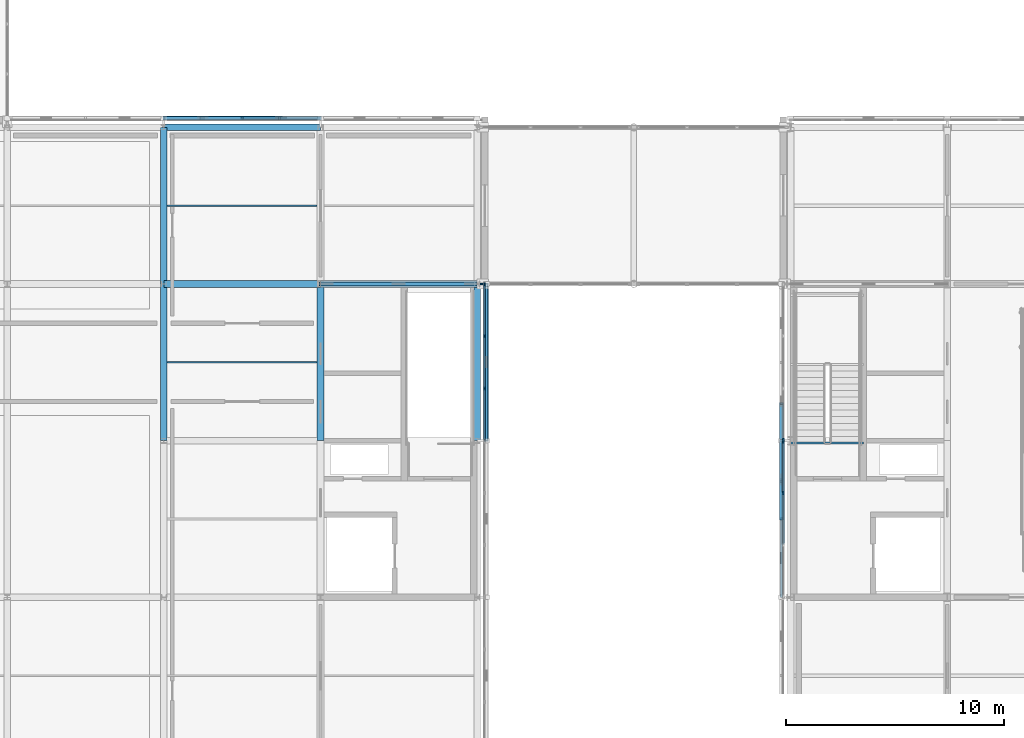
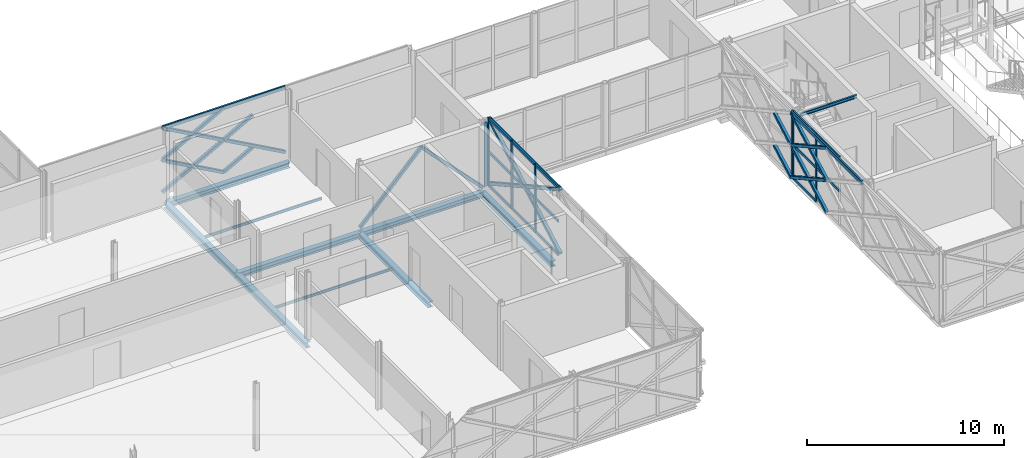
# One storey, part 24 of 126: 46 members, 10 beams, 4 elements without a shape of their own.
"""IFC4 building model written with IfcOpenShell, lengths in metres."""

from ifc_helpers import new_model, si_unit, direction, frame, origin, origin_2d, place, context, subcontext, project, spatial, rectangle, hollow_rectangle, i_section, extrude, material, material_profile, profile_set, type_object, element, aggregate, save


model = new_model("IFC4")

# Units and contexts
model_context = context("Model", 3, precision=1e-05, world=origin(), true_north=direction((0.0, 1.0)))
body_context = subcontext(model_context, "Body", "Model", "MODEL_VIEW")
ifc_project = project(units=[si_unit("LENGTHUNIT", "METRE"), si_unit("AREAUNIT", "SQUARE_METRE"), si_unit("VOLUMEUNIT", "CUBIC_METRE"), si_unit("PLANEANGLEUNIT", "RADIAN"), si_unit("MASSUNIT", "GRAM", prefix="KILO")], contexts=[model_context])

# Site, building, storey
site_placement = place(None, origin())
site = spatial("IfcSite", under=ifc_project, at=site_placement, CompositionType="ELEMENT")
building_placement = place(site_placement, origin())
building = spatial("IfcBuilding", under=site, at=building_placement, Name="Zlatovets Crest Museum", CompositionType="ELEMENT")
storey_placement = place(building_placement, frame((0.0, 0.0, 8.699951171875)))
storey = spatial("IfcBuildingStorey", under=building, at=storey_placement, Name="L02", CompositionType="ELEMENT", Elevation=8.699951171875)

# Beams
ifc_material_1 = material(Name="Structural steel S355J2", Category="steel")
ifc_material_profile_1 = material_profile(ifc_material_1, i_section(OverallWidth=0.300048828125, OverallDepth=0.35009765625, WebThickness=0.010009765625, FlangeThickness=0.017578125, FilletRadius=0.027099609375, at=origin_2d()), Name="HEA 360")
ifc_profile_set_1 = profile_set([ifc_material_profile_1], Name="Structural steel S355J2")
beam_type_1 = type_object("IfcBeamType", Name="Beam_B-03", PredefinedType="BEAM", material=ifc_profile_set_1)
beam_1_placement = place(storey_placement, frame((28.800048828125, 14.39990234375, -0.39501953125), z_axis=(0.0, 1.0, 0.0), x_axis=(-1.0, 0.0, 0.0)))
element("IfcBeam", 1, at=beam_1_placement, inside=storey, type_object=beam_type_1, Name="V3 L02 Grid Beam B-03", PredefinedType="BEAM", context=body_context, shape_type="SweptSolid", body=[
    extrude(i_section(OverallWidth=0.300048828125, OverallDepth=0.35009765625, WebThickness=0.010009765625, FlangeThickness=0.017578125, FilletRadius=0.027099609375, at=origin_2d()), origin(), (0.0, 0.0, 1.0), 7.2001953125),
])
beam_2_placement = place(storey_placement, frame((28.800048828125, 21.60009765625, -0.39501953125), z_axis=(0.0, 1.0, 0.0), x_axis=(-1.0, 0.0, 0.0)))
element("IfcBeam", 2, at=beam_2_placement, inside=storey, type_object=beam_type_1, Name="V3 L02 Grid Beam B-03", PredefinedType="BEAM", context=body_context, shape_type="SweptSolid", body=[
    extrude(i_section(OverallWidth=0.300048828125, OverallDepth=0.35009765625, WebThickness=0.010009765625, FlangeThickness=0.017578125, FilletRadius=0.027099609375, at=origin_2d()), origin(), (0.0, 0.0, 1.0), 7.199951171875),
])
for number, where, z_axis, x_axis, name in (
    (3, (36.0, 14.39990234375, -0.39501953125), (0.0, 1.0, 0.0), (-1.0, 0.0, 0.0), "V3 L02 Grid Beam B-03"),
    (4, (43.199951171875, 14.39990234375, -0.39501953125), (0.0, 1.0, 0.0), (-1.0, 0.0, 0.0), "V3 L02 Grid Beam B-03"),
):
    element("IfcBeam", number, at=place(storey_placement, frame(where, z_axis=z_axis, x_axis=x_axis)), inside=storey, type_object=beam_type_1, Name=name, PredefinedType="BEAM", context=body_context, shape_type="SweptSolid", body=[
        extrude(i_section(OverallWidth=0.300048828125, OverallDepth=0.35009765625, WebThickness=0.010009765625, FlangeThickness=0.017578125, FilletRadius=0.027099609375, at=origin_2d()), origin(), (0.0, 0.0, 1.0), 7.2001953125),
    ])
ifc_material_profile_2 = material_profile(ifc_material_1, i_section(OverallWidth=0.300048828125, OverallDepth=0.330078125, WebThickness=0.009521484375, FlangeThickness=0.0166015625, FilletRadius=0.027099609375, at=origin_2d()), Name="HEA 340")
ifc_profile_set_2 = profile_set([ifc_material_profile_2], Name="Structural steel S355J2")
beam_type_2 = type_object("IfcBeamType", Name="Beam_B-11", PredefinedType="BEAM", material=ifc_profile_set_2)
for number, where, z_axis, x_axis, name in (
    (5, (28.800048828125, 21.60009765625, -0.385009765625), (1.0, 0.0, 0.0), (0.0, 1.0, 0.0), "V3 L02 Primary Girder B-11"),
    (6, (36.0, 21.60009765625, -0.385009765625), (1.0, 0.0, 0.0), (0.0, 1.0, 0.0), "V3 L02 Primary Girder B-11"),
    (7, (28.800048828125, 28.800048828125, -0.385009765625), (1.0, 0.0, 0.0), (0.0, 1.0, 0.0), "V3 L02 Primary Girder B-11"),
):
    element("IfcBeam", number, at=place(storey_placement, frame(where, z_axis=z_axis, x_axis=x_axis)), inside=storey, type_object=beam_type_2, Name=name, PredefinedType="BEAM", context=body_context, shape_type="SweptSolid", body=[
        extrude(i_section(OverallWidth=0.300048828125, OverallDepth=0.330078125, WebThickness=0.009521484375, FlangeThickness=0.0166015625, FilletRadius=0.027099609375, at=origin_2d()), origin(), (0.0, 0.0, 1.0), 7.199951171875),
    ])
ifc_material_profile_3 = material_profile(ifc_material_1, i_section(OverallWidth=0.08203125, OverallDepth=0.159912109375, WebThickness=0.0048828125, FlangeThickness=0.00732421875, FilletRadius=0.009033203125, at=origin_2d()), Name="IPE 160")
ifc_profile_set_3 = profile_set([ifc_material_profile_3], Name="Structural steel S355J2")
beam_type_3 = type_object("IfcBeamType", Name="Beam_J-12", PredefinedType="JOIST", material=ifc_profile_set_3)
for number, where, z_axis, x_axis, name in (
    (8, (28.949951171875, 18.0, -0.300048828125), (1.0, 0.0, 0.0), (0.0, 1.0, 0.0), "V3 L02 Composite Joist J-12"),
    (9, (28.949951171875, 25.199951171875, -0.300048828125), (1.0, 0.0, 0.0), (0.0, 1.0, 0.0), "V3 L02 Composite Joist J-12"),
):
    element("IfcBeam", number, at=place(storey_placement, frame(where, z_axis=z_axis, x_axis=x_axis)), inside=storey, type_object=beam_type_3, Name=name, PredefinedType="JOIST", context=body_context, shape_type="SweptSolid", body=[
        extrude(i_section(OverallWidth=0.08203125, OverallDepth=0.159912109375, WebThickness=0.0048828125, FlangeThickness=0.00732421875, FilletRadius=0.009033203125, at=origin_2d()), origin(), (0.0, 0.0, 1.0), 6.900146484375),
    ])
ifc_material_profile_4 = material_profile(ifc_material_1, i_section(OverallWidth=0.10009765625, OverallDepth=0.199951171875, WebThickness=0.005615234375, FlangeThickness=0.008544921875, FilletRadius=0.011962890625, at=origin_2d()), Name="IPE 200")
ifc_profile_set_4 = profile_set([ifc_material_profile_4], Name="Structural steel S355J2")
beam_type_4 = type_object("IfcBeamType", Name="Beam_PR-02", PredefinedType="LINTEL", material=ifc_profile_set_4)
beam_3_placement = place(storey_placement, frame((57.60009765625, 14.300048828125, 3.860107421875), z_axis=(1.0, 0.0, 0.0), x_axis=(0.0, 1.0, 0.0)))
element("IfcBeam", 10, at=beam_3_placement, inside=storey, type_object=beam_type_4, Name="Core C2 L02 Stair Well Header Beam", PredefinedType="LINTEL", context=body_context, shape_type="SweptSolid", body=[
    extrude(i_section(OverallWidth=0.10009765625, OverallDepth=0.199951171875, WebThickness=0.005615234375, FlangeThickness=0.008544921875, FilletRadius=0.011962890625, at=origin_2d()), origin(), (0.0, 0.0, 1.0), 3.349853515625),
])

# Curtain wall, member
ifc_material_2 = material(Name="Bronze-anodised aluminium and low-E triple glass", Category="aluminium")
curtain_wall_type_1 = type_object("IfcCurtainWallType", Name="CW_CW-V2-L02-M3", PredefinedType="NOTDEFINED", material=ifc_material_2)
curtain_wall_1_placement = place(storey_placement, origin())
curtain_wall_1 = element("IfcCurtainWall", 11, at=curtain_wall_1_placement, inside=storey, type_object=curtain_wall_type_1, Name="V2 L02 Expressed Core Glazed Facade", PredefinedType="NOTDEFINED")
ifc_material_3 = material(Name="Bronze-anodised aluminium EN AW-6060", Category="aluminium")
ifc_material_profile_5 = material_profile(ifc_material_3, rectangle(XDim=0.080078125, YDim=0.159912109375, at=origin_2d()), Name="ALU 80x160")
ifc_profile_set_5 = profile_set([ifc_material_profile_5], Name="Bronze-anodised aluminium EN AW-6060")
member_type_1 = type_object("IfcMemberType", Name="CWMull_M1", PredefinedType="MULLION", material=ifc_profile_set_5)
member_1_placement = place(storey_placement, frame((57.260009765625, 14.429931640625, 0.0), z_axis=(0.0, 0.0, 1.0), x_axis=(1.0, 0.0, 0.0)))
member_1 = element("IfcMember", 12, at=member_1_placement, type_object=member_type_1, Name="CW-V2-L02-M3 mullion 4", PredefinedType="MULLION", context=body_context, shape_type="SweptSolid", body=[
    extrude(rectangle(XDim=0.080078125, YDim=0.159912109375, at=origin_2d()), origin(), (0.0, 0.0, 1.0), 4.199951171875),
])
aggregate(curtain_wall_1, [member_1])

# Curtain wall, members
curtain_wall_type_2 = type_object("IfcCurtainWallType", Name="CW_CW-V2-L02-M0", PredefinedType="NOTDEFINED", material=ifc_material_2)
curtain_wall_2_placement = place(storey_placement, origin())
curtain_wall_2 = element("IfcCurtainWall", 13, at=curtain_wall_2_placement, inside=storey, type_object=curtain_wall_type_2, Name="V2 L02 Expressed Core Glazed Facade", PredefinedType="NOTDEFINED")
member_2_placement = place(storey_placement, frame((57.260009765625, 14.3701171875, 0.0), z_axis=(0.0, 0.0, 1.0), x_axis=(1.0, 0.0, 0.0)))
member_2 = element("IfcMember", 14, at=member_2_placement, type_object=member_type_1, Name="CW-V2-L02-M0 mullion 1", PredefinedType="MULLION", context=body_context, shape_type="SweptSolid", body=[
    extrude(rectangle(XDim=0.080078125, YDim=0.159912109375, at=origin_2d()), origin(), (0.0, 0.0, 1.0), 4.199951171875),
])
member_3_placement = place(storey_placement, frame((57.260009765625, 12.0, 0.0), z_axis=(0.0, 0.0, 1.0), x_axis=(1.0, 0.0, 0.0)))
member_3 = element("IfcMember", 15, at=member_3_placement, type_object=member_type_1, Name="CW-V2-L02-M0 mullion 2", PredefinedType="MULLION", context=body_context, shape_type="SweptSolid", body=[
    extrude(rectangle(XDim=0.080078125, YDim=0.159912109375, at=origin_2d()), origin(), (0.0, 0.0, 1.0), 4.199951171875),
])

curtain_wall_type_3 = type_object("IfcCurtainWallType", Name="CW_CW-V3-L02-M0", PredefinedType="NOTDEFINED", material=ifc_material_2)
curtain_wall_3_placement = place(storey_placement, origin())
curtain_wall_3 = element("IfcCurtainWall", 16, at=curtain_wall_3_placement, inside=storey, type_object=curtain_wall_type_3, Name="V3 L02 Expressed Core Glazed Facade", PredefinedType="NOTDEFINED")
member_4_placement = place(storey_placement, frame((43.5400390625, 16.800048828125, 0.0), z_axis=(0.0, 0.0, 1.0), x_axis=(-1.0, 0.0, 0.0)))
member_4 = element("IfcMember", 17, at=member_4_placement, type_object=member_type_1, Name="CW-V3-L02-M0 mullion 2", PredefinedType="MULLION", context=body_context, shape_type="SweptSolid", body=[
    extrude(rectangle(XDim=0.080078125, YDim=0.159912109375, at=origin_2d()), origin(), (0.0, 0.0, 1.0), 4.199951171875),
])
member_5_placement = place(storey_placement, frame((43.5400390625, 19.199951171875, 0.0), z_axis=(0.0, 0.0, 1.0), x_axis=(-1.0, 0.0, 0.0)))
member_5 = element("IfcMember", 18, at=member_5_placement, type_object=member_type_1, Name="CW-V3-L02-M0 mullion 3", PredefinedType="MULLION", context=body_context, shape_type="SweptSolid", body=[
    extrude(rectangle(XDim=0.080078125, YDim=0.159912109375, at=origin_2d()), origin(), (0.0, 0.0, 1.0), 4.199951171875),
])
member_6_placement = place(storey_placement, frame((43.5400390625, 21.570068359375, 0.0), z_axis=(0.0, 0.0, 1.0), x_axis=(-1.0, 0.0, 0.0)))
member_6 = element("IfcMember", 19, at=member_6_placement, type_object=member_type_1, Name="CW-V3-L02-M0 mullion 4", PredefinedType="MULLION", context=body_context, shape_type="SweptSolid", body=[
    extrude(rectangle(XDim=0.080078125, YDim=0.159912109375, at=origin_2d()), origin(), (0.0, 0.0, 1.0), 4.199951171875),
])

# Curtain wall, member
curtain_wall_type_4 = type_object("IfcCurtainWallType", Name="CW_CW-BR1-L02-S69", PredefinedType="NOTDEFINED", material=ifc_material_2)
curtain_wall_4_placement = place(storey_placement, origin())
curtain_wall_4 = element("IfcCurtainWall", 20, at=curtain_wall_4_placement, inside=storey, type_object=curtain_wall_type_4, Name="South Forecourt Glazed Link Bridge L02 Glazed Bridge Curtain Wall", PredefinedType="NOTDEFINED")
member_7_placement = place(storey_placement, frame((43.3798828125, 21.60009765625, 0.0), z_axis=(0.0, 0.0, 1.0), x_axis=(0.0, 1.0, 0.0)))
member_7 = element("IfcMember", 21, at=member_7_placement, type_object=member_type_1, Name="CW-BR1-L02-S69 mullion 1", PredefinedType="MULLION", context=body_context, shape_type="SweptSolid", body=[
    extrude(rectangle(XDim=0.080078125, YDim=0.159912109375, at=origin_2d()), origin(), (0.0, 0.0, 1.0), 3.97998046875),
])
aggregate(curtain_wall_4, [member_7])

# Member
ifc_material_profile_6 = material_profile(ifc_material_3, rectangle(XDim=0.080078125, YDim=0.159912109375, at=origin_2d()), Name="ALU 80x160")
ifc_profile_set_6 = profile_set([ifc_material_profile_6], Name="Bronze-anodised aluminium EN AW-6060")
member_type_2 = type_object("IfcMemberType", Name="CWTrans_T1", PredefinedType="USERDEFINED", material=ifc_profile_set_6)
member_8_placement = place(storey_placement, frame((57.260009765625, 14.340087890625, 0.030029296875), z_axis=(0.0, -1.0, 0.0), x_axis=(1.0, 0.0, 0.0)))
member_8 = element("IfcMember", 22, at=member_8_placement, type_object=member_type_2, Name="CW-V2-L02-M0 transom 1.1", ObjectType="TRANSOM", PredefinedType="USERDEFINED", context=body_context, shape_type="SweptSolid", body=[
    extrude(rectangle(XDim=0.080078125, YDim=0.159912109375, at=origin_2d()), origin(), (0.0, 0.0, 1.0), 2.31005859375),
])

member_9_placement = place(storey_placement, frame((57.260009765625, 14.340087890625, 2.10009765625), z_axis=(0.0, -1.0, 0.0), x_axis=(1.0, 0.0, 0.0)))
member_9 = element("IfcMember", 23, at=member_9_placement, type_object=member_type_2, Name="CW-V2-L02-M0 transom 1.2", ObjectType="TRANSOM", PredefinedType="USERDEFINED", context=body_context, shape_type="SweptSolid", body=[
    extrude(rectangle(XDim=0.080078125, YDim=0.159912109375, at=origin_2d()), origin(), (0.0, 0.0, 1.0), 2.31005859375),
])

member_10_placement = place(storey_placement, frame((57.260009765625, 14.340087890625, 4.170166015625), z_axis=(0.0, -1.0, 0.0), x_axis=(1.0, 0.0, 0.0)))
member_10 = element("IfcMember", 24, at=member_10_placement, type_object=member_type_2, Name="CW-V2-L02-M0 transom 1.3", ObjectType="TRANSOM", PredefinedType="USERDEFINED", context=body_context, shape_type="SweptSolid", body=[
    extrude(rectangle(XDim=0.080078125, YDim=0.159912109375, at=origin_2d()), origin(), (0.0, 0.0, 1.0), 2.31005859375),
])

member_11_placement = place(storey_placement, frame((57.260009765625, 11.969970703125, 2.10009765625), z_axis=(0.0, -1.0, 0.0), x_axis=(1.0, 0.0, 0.0)))
member_11 = element("IfcMember", 25, at=member_11_placement, type_object=member_type_2, Name="CW-V2-L02-M0 transom 2.2", ObjectType="TRANSOM", PredefinedType="USERDEFINED", context=body_context, shape_type="SweptSolid", body=[
    extrude(rectangle(XDim=0.080078125, YDim=0.159912109375, at=origin_2d()), origin(), (0.0, 0.0, 1.0), 2.340087890625),
])

member_12_placement = place(storey_placement, frame((57.260009765625, 11.969970703125, 4.170166015625), z_axis=(0.0, -1.0, 0.0), x_axis=(1.0, 0.0, 0.0)))
member_12 = element("IfcMember", 26, at=member_12_placement, type_object=member_type_2, Name="CW-V2-L02-M0 transom 2.3", ObjectType="TRANSOM", PredefinedType="USERDEFINED", context=body_context, shape_type="SweptSolid", body=[
    extrude(rectangle(XDim=0.080078125, YDim=0.159912109375, at=origin_2d()), origin(), (0.0, 0.0, 1.0), 2.340087890625),
])

aggregate(curtain_wall_2, [member_2, member_3, member_8, member_9, member_10, member_11, member_12])

member_13_placement = place(storey_placement, frame((43.5400390625, 14.4599609375, 0.030029296875), z_axis=(0.0, 1.0, 0.0), x_axis=(-1.0, 0.0, 0.0)))
member_13 = element("IfcMember", 27, at=member_13_placement, type_object=member_type_2, Name="CW-V3-L02-M0 transom 1.1", ObjectType="TRANSOM", PredefinedType="USERDEFINED", context=body_context, shape_type="SweptSolid", body=[
    extrude(rectangle(XDim=0.080078125, YDim=0.159912109375, at=origin_2d()), origin(), (0.0, 0.0, 1.0), 2.31005859375),
])

member_14_placement = place(storey_placement, frame((43.5400390625, 14.4599609375, 2.10009765625), z_axis=(0.0, 1.0, 0.0), x_axis=(-1.0, 0.0, 0.0)))
member_14 = element("IfcMember", 28, at=member_14_placement, type_object=member_type_2, Name="CW-V3-L02-M0 transom 1.2", ObjectType="TRANSOM", PredefinedType="USERDEFINED", context=body_context, shape_type="SweptSolid", body=[
    extrude(rectangle(XDim=0.080078125, YDim=0.159912109375, at=origin_2d()), origin(), (0.0, 0.0, 1.0), 2.31005859375),
])

member_15_placement = place(storey_placement, frame((43.5400390625, 14.4599609375, 4.170166015625), z_axis=(0.0, 1.0, 0.0), x_axis=(-1.0, 0.0, 0.0)))
member_15 = element("IfcMember", 29, at=member_15_placement, type_object=member_type_2, Name="CW-V3-L02-M0 transom 1.3", ObjectType="TRANSOM", PredefinedType="USERDEFINED", context=body_context, shape_type="SweptSolid", body=[
    extrude(rectangle(XDim=0.080078125, YDim=0.159912109375, at=origin_2d()), origin(), (0.0, 0.0, 1.0), 2.31005859375),
])

member_16_placement = place(storey_placement, frame((43.5400390625, 16.830078125, 0.030029296875), z_axis=(0.0, 1.0, 0.0), x_axis=(-1.0, 0.0, 0.0)))
member_16 = element("IfcMember", 30, at=member_16_placement, type_object=member_type_2, Name="CW-V3-L02-M0 transom 2.1", ObjectType="TRANSOM", PredefinedType="USERDEFINED", context=body_context, shape_type="SweptSolid", body=[
    extrude(rectangle(XDim=0.080078125, YDim=0.159912109375, at=origin_2d()), origin(), (0.0, 0.0, 1.0), 2.33984375),
])

member_17_placement = place(storey_placement, frame((43.5400390625, 16.830078125, 2.10009765625), z_axis=(0.0, 1.0, 0.0), x_axis=(-1.0, 0.0, 0.0)))
member_17 = element("IfcMember", 31, at=member_17_placement, type_object=member_type_2, Name="CW-V3-L02-M0 transom 2.2", ObjectType="TRANSOM", PredefinedType="USERDEFINED", context=body_context, shape_type="SweptSolid", body=[
    extrude(rectangle(XDim=0.080078125, YDim=0.159912109375, at=origin_2d()), origin(), (0.0, 0.0, 1.0), 2.33984375),
])

member_18_placement = place(storey_placement, frame((43.5400390625, 16.830078125, 4.170166015625), z_axis=(0.0, 1.0, 0.0), x_axis=(-1.0, 0.0, 0.0)))
member_18 = element("IfcMember", 32, at=member_18_placement, type_object=member_type_2, Name="CW-V3-L02-M0 transom 2.3", ObjectType="TRANSOM", PredefinedType="USERDEFINED", context=body_context, shape_type="SweptSolid", body=[
    extrude(rectangle(XDim=0.080078125, YDim=0.159912109375, at=origin_2d()), origin(), (0.0, 0.0, 1.0), 2.33984375),
])

member_19_placement = place(storey_placement, frame((43.5400390625, 19.22998046875, 0.030029296875), z_axis=(0.0, 1.0, 0.0), x_axis=(-1.0, 0.0, 0.0)))
member_19 = element("IfcMember", 33, at=member_19_placement, type_object=member_type_2, Name="CW-V3-L02-M0 transom 3.1", ObjectType="TRANSOM", PredefinedType="USERDEFINED", context=body_context, shape_type="SweptSolid", body=[
    extrude(rectangle(XDim=0.080078125, YDim=0.159912109375, at=origin_2d()), origin(), (0.0, 0.0, 1.0), 2.31005859375),
])

member_20_placement = place(storey_placement, frame((43.5400390625, 19.22998046875, 2.10009765625), z_axis=(0.0, 1.0, 0.0), x_axis=(-1.0, 0.0, 0.0)))
member_20 = element("IfcMember", 34, at=member_20_placement, type_object=member_type_2, Name="CW-V3-L02-M0 transom 3.2", ObjectType="TRANSOM", PredefinedType="USERDEFINED", context=body_context, shape_type="SweptSolid", body=[
    extrude(rectangle(XDim=0.080078125, YDim=0.159912109375, at=origin_2d()), origin(), (0.0, 0.0, 1.0), 2.31005859375),
])

member_21_placement = place(storey_placement, frame((43.5400390625, 19.22998046875, 4.170166015625), z_axis=(0.0, 1.0, 0.0), x_axis=(-1.0, 0.0, 0.0)))
member_21 = element("IfcMember", 35, at=member_21_placement, type_object=member_type_2, Name="CW-V3-L02-M0 transom 3.3", ObjectType="TRANSOM", PredefinedType="USERDEFINED", context=body_context, shape_type="SweptSolid", body=[
    extrude(rectangle(XDim=0.080078125, YDim=0.159912109375, at=origin_2d()), origin(), (0.0, 0.0, 1.0), 2.31005859375),
])

aggregate(curtain_wall_3, [member_4, member_5, member_6, member_13, member_14, member_15, member_16, member_17, member_18, member_19, member_20, member_21])

# Members
ifc_material_4 = material(Name="Weathering bronze-steel S355J2W", Category="steel")
ifc_material_profile_7 = material_profile(ifc_material_4, hollow_rectangle(XDim=0.179931640625, YDim=0.179931640625, WallThickness=0.010009765625, InnerFilletRadius=0.010009765625, OuterFilletRadius=0.02001953125, at=origin_2d()), Name="SHS 180x180x10.0")
ifc_profile_set_7 = profile_set([ifc_material_profile_7], Name="Weathering bronze-steel S355J2W")
member_type_3 = type_object("IfcMemberType", Name="Lattice_XL-01", PredefinedType="BRACE", material=ifc_profile_set_7)
for number, where, z_axis, x_axis, name in (
    (36, (57.179931640625, 16.116943359375, 1.053955078125), (0.0, -0.874169001841, -0.485621824284), (1.0, 0.0, 0.0), "Split Crossing Bronze Lattice Diagonal Lower"),
    (37, (57.179931640625, 16.116943359375, 3.053955078125), (0.0, -0.874169001841, -0.485621824284), (1.0, 0.0, 0.0), "Split Crossing Bronze Lattice Diagonal Lower"),
):
    element("IfcMember", number, at=place(storey_placement, frame(where, z_axis=z_axis, x_axis=x_axis)), inside=storey, type_object=member_type_3, Name=name, PredefinedType="BRACE", context=body_context, shape_type="SweptSolid", body=[
        extrude(hollow_rectangle(XDim=0.179931640625, YDim=0.179931640625, WallThickness=0.010009765625, InnerFilletRadius=0.010009765625, OuterFilletRadius=0.02001953125, at=origin_2d()), origin(), (0.0, 0.0, 1.0), 1.964111328125),
    ])
member_22_placement = place(storey_placement, frame((57.179931640625, 14.39990234375, 0.10009765625), z_axis=(0.0, -0.874148886685, 0.485658031857), x_axis=(1.0, 0.0, 0.0)))
element("IfcMember", 38, at=member_22_placement, inside=storey, type_object=member_type_3, Name="Continuous Bronze Lattice Diagonal", PredefinedType="BRACE", context=body_context, shape_type="SweptSolid", body=[
    extrude(hollow_rectangle(XDim=0.179931640625, YDim=0.179931640625, WallThickness=0.010009765625, InnerFilletRadius=0.010009765625, OuterFilletRadius=0.02001953125, at=origin_2d()), origin(), (0.0, 0.0, 1.0), 4.1181640625),
])
member_23_placement = place(storey_placement, frame((57.179931640625, 14.39990234375, 2.10009765625), z_axis=(0.0, -0.874139684676, -0.48567459443), x_axis=(1.0, 0.0, 0.0)))
element("IfcMember", 39, at=member_23_placement, inside=storey, type_object=member_type_3, Name="Split Crossing Bronze Lattice Diagonal Upper", PredefinedType="BRACE", context=body_context, shape_type="SweptSolid", body=[
    extrude(hollow_rectangle(XDim=0.179931640625, YDim=0.179931640625, WallThickness=0.010009765625, InnerFilletRadius=0.010009765625, OuterFilletRadius=0.02001953125, at=origin_2d()), origin(), (0.0, 0.0, 1.0), 1.9638671875),
])
member_24_placement = place(storey_placement, frame((57.179931640625, 12.51708984375, 1.053955078125), z_axis=(0.0, -0.874169001841, -0.485621824284), x_axis=(1.0, 0.0, 0.0)))
element("IfcMember", 40, at=member_24_placement, inside=storey, type_object=member_type_3, Name="Split Crossing Bronze Lattice Diagonal Lower", PredefinedType="BRACE", context=body_context, shape_type="SweptSolid", body=[
    extrude(hollow_rectangle(XDim=0.179931640625, YDim=0.179931640625, WallThickness=0.010009765625, InnerFilletRadius=0.010009765625, OuterFilletRadius=0.02001953125, at=origin_2d()), origin(), (0.0, 0.0, 1.0), 1.964111328125),
])
member_25_placement = place(storey_placement, frame((57.179931640625, 14.39990234375, 2.10009765625), z_axis=(0.0, -0.874148886685, 0.485658031857), x_axis=(1.0, 0.0, 0.0)))
element("IfcMember", 41, at=member_25_placement, inside=storey, type_object=member_type_3, Name="Continuous Bronze Lattice Diagonal", PredefinedType="BRACE", context=body_context, shape_type="SweptSolid", body=[
    extrude(hollow_rectangle(XDim=0.179931640625, YDim=0.179931640625, WallThickness=0.010009765625, InnerFilletRadius=0.010009765625, OuterFilletRadius=0.02001953125, at=origin_2d()), origin(), (0.0, 0.0, 1.0), 4.1181640625),
])
member_26_placement = place(storey_placement, frame((57.179931640625, 14.39990234375, 4.10009765625), z_axis=(0.0, -0.874139684676, -0.48567459443), x_axis=(1.0, 0.0, 0.0)))
element("IfcMember", 42, at=member_26_placement, inside=storey, type_object=member_type_3, Name="Split Crossing Bronze Lattice Diagonal Upper", PredefinedType="BRACE", context=body_context, shape_type="SweptSolid", body=[
    extrude(hollow_rectangle(XDim=0.179931640625, YDim=0.179931640625, WallThickness=0.010009765625, InnerFilletRadius=0.010009765625, OuterFilletRadius=0.02001953125, at=origin_2d()), origin(), (0.0, 0.0, 1.0), 1.9638671875),
])
member_27_placement = place(storey_placement, frame((57.179931640625, 12.51708984375, 3.053955078125), z_axis=(0.0, -0.874169001841, -0.485621824284), x_axis=(1.0, 0.0, 0.0)))
element("IfcMember", 43, at=member_27_placement, inside=storey, type_object=member_type_3, Name="Split Crossing Bronze Lattice Diagonal Lower", PredefinedType="BRACE", context=body_context, shape_type="SweptSolid", body=[
    extrude(hollow_rectangle(XDim=0.179931640625, YDim=0.179931640625, WallThickness=0.010009765625, InnerFilletRadius=0.010009765625, OuterFilletRadius=0.02001953125, at=origin_2d()), origin(), (0.0, 0.0, 1.0), 1.964111328125),
])
member_28_placement = place(storey_placement, frame((36.0, 29.219970703125, 0.10009765625), z_axis=(-0.874162868644, 0.0, 0.485632864501), x_axis=(0.0, -1.0, 0.0)))
element("IfcMember", 44, at=member_28_placement, inside=storey, type_object=member_type_3, Name="Continuous Bronze Lattice Diagonal", PredefinedType="BRACE", context=body_context, shape_type="SweptSolid", body=[
    extrude(hollow_rectangle(XDim=0.179931640625, YDim=0.179931640625, WallThickness=0.010009765625, InnerFilletRadius=0.010009765625, OuterFilletRadius=0.02001953125, at=origin_2d()), origin(), (0.0, 0.0, 1.0), 4.118408203125),
])
member_29_placement = place(storey_placement, frame((34.116943359375, 29.219970703125, 1.053955078125), z_axis=(-0.874169001841, 0.0, -0.485621824284), x_axis=(0.0, -1.0, 0.0)))
element("IfcMember", 45, at=member_29_placement, inside=storey, type_object=member_type_3, Name="Split Crossing Bronze Lattice Diagonal Lower", PredefinedType="BRACE", context=body_context, shape_type="SweptSolid", body=[
    extrude(hollow_rectangle(XDim=0.179931640625, YDim=0.179931640625, WallThickness=0.010009765625, InnerFilletRadius=0.010009765625, OuterFilletRadius=0.02001953125, at=origin_2d()), origin(), (0.0, 0.0, 1.0), 1.964111328125),
])
member_30_placement = place(storey_placement, frame((32.39990234375, 29.219970703125, 0.10009765625), z_axis=(-0.874148886685, 0.0, 0.485658031857), x_axis=(0.0, -1.0, 0.0)))
element("IfcMember", 46, at=member_30_placement, inside=storey, type_object=member_type_3, Name="Continuous Bronze Lattice Diagonal", PredefinedType="BRACE", context=body_context, shape_type="SweptSolid", body=[
    extrude(hollow_rectangle(XDim=0.179931640625, YDim=0.179931640625, WallThickness=0.010009765625, InnerFilletRadius=0.010009765625, OuterFilletRadius=0.02001953125, at=origin_2d()), origin(), (0.0, 0.0, 1.0), 4.1181640625),
])
member_31_placement = place(storey_placement, frame((32.39990234375, 29.219970703125, 2.10009765625), z_axis=(-0.874139684676, 0.0, -0.48567459443), x_axis=(0.0, -1.0, 0.0)))
element("IfcMember", 47, at=member_31_placement, inside=storey, type_object=member_type_3, Name="Split Crossing Bronze Lattice Diagonal Upper", PredefinedType="BRACE", context=body_context, shape_type="SweptSolid", body=[
    extrude(hollow_rectangle(XDim=0.179931640625, YDim=0.179931640625, WallThickness=0.010009765625, InnerFilletRadius=0.010009765625, OuterFilletRadius=0.02001953125, at=origin_2d()), origin(), (0.0, 0.0, 1.0), 1.9638671875),
])
for number, where, z_axis, x_axis, name in (
    (48, (30.51708984375, 29.219970703125, 1.053955078125), (-0.874169001841, 0.0, -0.485621824284), (0.0, -1.0, 0.0), "Split Crossing Bronze Lattice Diagonal Lower"),
    (49, (34.116943359375, 29.219970703125, 3.053955078125), (-0.874169001841, 0.0, -0.485621824284), (0.0, -1.0, 0.0), "Split Crossing Bronze Lattice Diagonal Lower"),
):
    element("IfcMember", number, at=place(storey_placement, frame(where, z_axis=z_axis, x_axis=x_axis)), inside=storey, type_object=member_type_3, Name=name, PredefinedType="BRACE", context=body_context, shape_type="SweptSolid", body=[
        extrude(hollow_rectangle(XDim=0.179931640625, YDim=0.179931640625, WallThickness=0.010009765625, InnerFilletRadius=0.010009765625, OuterFilletRadius=0.02001953125, at=origin_2d()), origin(), (0.0, 0.0, 1.0), 1.964111328125),
    ])
member_32_placement = place(storey_placement, frame((32.39990234375, 29.219970703125, 2.10009765625), z_axis=(-0.874148886685, 0.0, 0.485658031857), x_axis=(0.0, -1.0, 0.0)))
element("IfcMember", 50, at=member_32_placement, inside=storey, type_object=member_type_3, Name="Continuous Bronze Lattice Diagonal", PredefinedType="BRACE", context=body_context, shape_type="SweptSolid", body=[
    extrude(hollow_rectangle(XDim=0.179931640625, YDim=0.179931640625, WallThickness=0.010009765625, InnerFilletRadius=0.010009765625, OuterFilletRadius=0.02001953125, at=origin_2d()), origin(), (0.0, 0.0, 1.0), 4.1181640625),
])
member_33_placement = place(storey_placement, frame((32.39990234375, 29.219970703125, 4.10009765625), z_axis=(-0.874139684676, 0.0, -0.48567459443), x_axis=(0.0, -1.0, 0.0)))
element("IfcMember", 51, at=member_33_placement, inside=storey, type_object=member_type_3, Name="Split Crossing Bronze Lattice Diagonal Upper", PredefinedType="BRACE", context=body_context, shape_type="SweptSolid", body=[
    extrude(hollow_rectangle(XDim=0.179931640625, YDim=0.179931640625, WallThickness=0.010009765625, InnerFilletRadius=0.010009765625, OuterFilletRadius=0.02001953125, at=origin_2d()), origin(), (0.0, 0.0, 1.0), 1.9638671875),
])
member_34_placement = place(storey_placement, frame((30.51708984375, 29.219970703125, 3.053955078125), z_axis=(-0.874169001841, 0.0, -0.485621824284), x_axis=(0.0, -1.0, 0.0)))
element("IfcMember", 52, at=member_34_placement, inside=storey, type_object=member_type_3, Name="Split Crossing Bronze Lattice Diagonal Lower", PredefinedType="BRACE", context=body_context, shape_type="SweptSolid", body=[
    extrude(hollow_rectangle(XDim=0.179931640625, YDim=0.179931640625, WallThickness=0.010009765625, InnerFilletRadius=0.010009765625, OuterFilletRadius=0.02001953125, at=origin_2d()), origin(), (0.0, 0.0, 1.0), 1.964111328125),
])
ifc_material_profile_8 = material_profile(ifc_material_4, hollow_rectangle(XDim=0.199951171875, YDim=0.199951171875, WallThickness=0.012451171875, InnerFilletRadius=0.012451171875, OuterFilletRadius=0.02490234375, at=origin_2d()), Name="SHS 200x200x12.5")
ifc_profile_set_8 = profile_set([ifc_material_profile_8], Name="Weathering bronze-steel S355J2W")
member_type_4 = type_object("IfcMemberType", Name="Lattice_XL-02", PredefinedType="BRACE", material=ifc_profile_set_8)
member_35_placement = place(storey_placement, frame((43.6201171875, 14.39990234375, 0.10009765625), z_axis=(0.0, 0.874162868644, 0.485632864501), x_axis=(-1.0, 0.0, 0.0)))
element("IfcMember", 53, at=member_35_placement, inside=storey, type_object=member_type_4, Name="Continuous Bronze Lattice Diagonal", PredefinedType="BRACE", context=body_context, shape_type="SweptSolid", body=[
    extrude(hollow_rectangle(XDim=0.199951171875, YDim=0.199951171875, WallThickness=0.012451171875, InnerFilletRadius=0.012451171875, OuterFilletRadius=0.02490234375, at=origin_2d()), origin(), (0.0, 0.0, 1.0), 8.236572265625),
])
for number, where, z_axis, x_axis, name in (
    (54, (43.6201171875, 14.39990234375, 4.10009765625), (0.0, 0.874165862873, -0.485627474703), (-1.0, 0.0, 0.0), "Split Crossing Bronze Lattice Diagonal Upper"),
    (55, (43.6201171875, 18.0830078125, 2.053955078125), (0.0, 0.874165862873, -0.485627474703), (-1.0, 0.0, 0.0), "Split Crossing Bronze Lattice Diagonal Lower"),
):
    element("IfcMember", number, at=place(storey_placement, frame(where, z_axis=z_axis, x_axis=x_axis)), inside=storey, type_object=member_type_4, Name=name, PredefinedType="BRACE", context=body_context, shape_type="SweptSolid", body=[
        extrude(hollow_rectangle(XDim=0.199951171875, YDim=0.199951171875, WallThickness=0.012451171875, InnerFilletRadius=0.012451171875, OuterFilletRadius=0.02490234375, at=origin_2d()), origin(), (0.0, 0.0, 1.0), 4.0234375),
    ])
ifc_material_profile_9 = material_profile(ifc_material_4, hollow_rectangle(XDim=0.1201171875, YDim=0.239990234375, WallThickness=0.010009765625, InnerFilletRadius=0.010009765625, OuterFilletRadius=0.02001953125, at=origin_2d()), Name="RHS 120x240x10.0")
ifc_profile_set_9 = profile_set([ifc_material_profile_9], Name="Weathering bronze-steel S355J2W")
member_type_5 = type_object("IfcMemberType", Name="Lattice_XL-04", PredefinedType="CHORD", material=ifc_profile_set_9)
member_36_placement = place(storey_placement, frame((57.179931640625, 14.39990234375, 4.10009765625), z_axis=(0.0, -1.0, 0.0), x_axis=(1.0, 0.0, 0.0)))
element("IfcMember", 56, at=member_36_placement, inside=storey, type_object=member_type_5, Name="Art Nouveau Woven Cage Collector Ring Chord", PredefinedType="CHORD", context=body_context, shape_type="SweptSolid", body=[
    extrude(hollow_rectangle(XDim=0.1201171875, YDim=0.239990234375, WallThickness=0.010009765625, InnerFilletRadius=0.010009765625, OuterFilletRadius=0.02001953125, at=origin_2d()), origin(), (0.0, 0.0, 1.0), 7.199951171875),
])
member_37_placement = place(storey_placement, frame((43.6201171875, 14.39990234375, 4.10009765625), z_axis=(0.0, 1.0, 0.0), x_axis=(-1.0, 0.0, 0.0)))
element("IfcMember", 57, at=member_37_placement, inside=storey, type_object=member_type_5, Name="Art Nouveau Woven Cage Collector Ring Chord", PredefinedType="CHORD", context=body_context, shape_type="SweptSolid", body=[
    extrude(hollow_rectangle(XDim=0.1201171875, YDim=0.239990234375, WallThickness=0.010009765625, InnerFilletRadius=0.010009765625, OuterFilletRadius=0.02001953125, at=origin_2d()), origin(), (0.0, 0.0, 1.0), 7.2001953125),
])
member_38_placement = place(storey_placement, frame((36.0, 29.219970703125, 4.10009765625), z_axis=(-1.0, 0.0, 0.0), x_axis=(0.0, -1.0, 0.0)))
element("IfcMember", 58, at=member_38_placement, inside=storey, type_object=member_type_5, Name="Art Nouveau Woven Cage Collector Ring Chord", PredefinedType="CHORD", context=body_context, shape_type="SweptSolid", body=[
    extrude(hollow_rectangle(XDim=0.1201171875, YDim=0.239990234375, WallThickness=0.010009765625, InnerFilletRadius=0.010009765625, OuterFilletRadius=0.02001953125, at=origin_2d()), origin(), (0.0, 0.0, 1.0), 7.199951171875),
])
ifc_material_profile_10 = material_profile(ifc_material_1, hollow_rectangle(XDim=0.179931640625, YDim=0.179931640625, WallThickness=0.010009765625, InnerFilletRadius=0.010009765625, OuterFilletRadius=0.02001953125, at=origin_2d()), Name="SHS 180x180x10.0")
ifc_profile_set_10 = profile_set([ifc_material_profile_10], Name="Structural steel S355J2")
member_type_6 = type_object("IfcMemberType", Name="Member_BR-02", PredefinedType="BRACE", material=ifc_profile_set_10)
member_39_placement = place(storey_placement, frame((36.0, 21.60009765625, 0.0), z_axis=(0.692541604294, 0.0, 0.721377935844), x_axis=(0.0, 1.0, 0.0)))
element("IfcMember", 59, at=member_39_placement, inside=storey, type_object=member_type_6, Name="V3 L02 Concentric Seismic Brace", PredefinedType="BRACE", context=body_context, shape_type="SweptSolid", body=[
    extrude(hollow_rectangle(XDim=0.179931640625, YDim=0.179931640625, WallThickness=0.010009765625, InnerFilletRadius=0.010009765625, OuterFilletRadius=0.02001953125, at=origin_2d()), origin(), (0.0, 0.0, 1.0), 5.198486328125),
])
member_40_placement = place(storey_placement, frame((43.199951171875, 21.60009765625, 0.0), z_axis=(-0.692517163318, 0.0, 0.721401399021), x_axis=(0.0, -1.0, 0.0)))
element("IfcMember", 60, at=member_40_placement, inside=storey, type_object=member_type_6, Name="V3 L02 Concentric Seismic Brace", PredefinedType="BRACE", context=body_context, shape_type="SweptSolid", body=[
    extrude(hollow_rectangle(XDim=0.179931640625, YDim=0.179931640625, WallThickness=0.010009765625, InnerFilletRadius=0.010009765625, OuterFilletRadius=0.02001953125, at=origin_2d()), origin(), (0.0, 0.0, 1.0), 5.1982421875),
])

save(model, "model.ifc")
